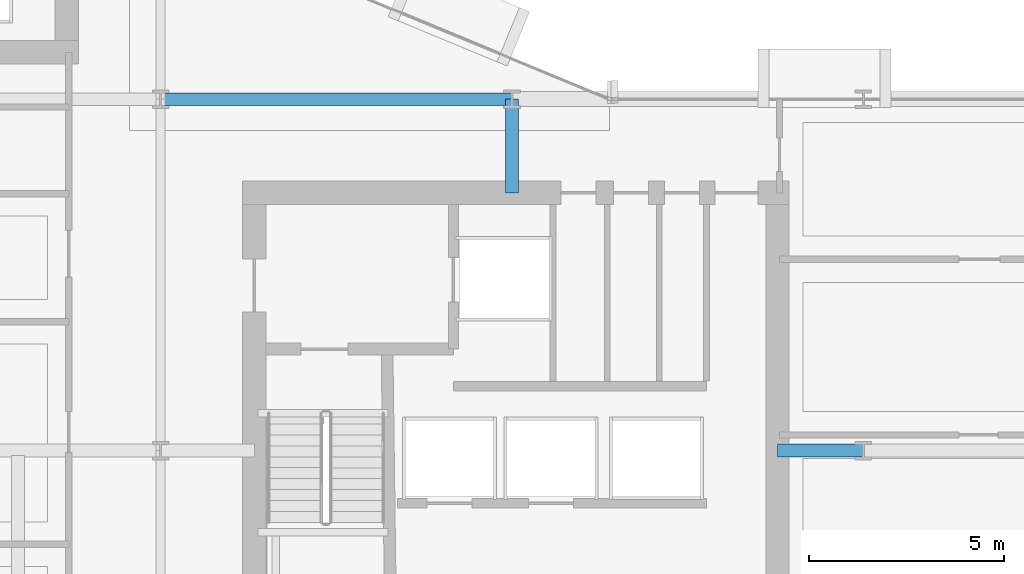
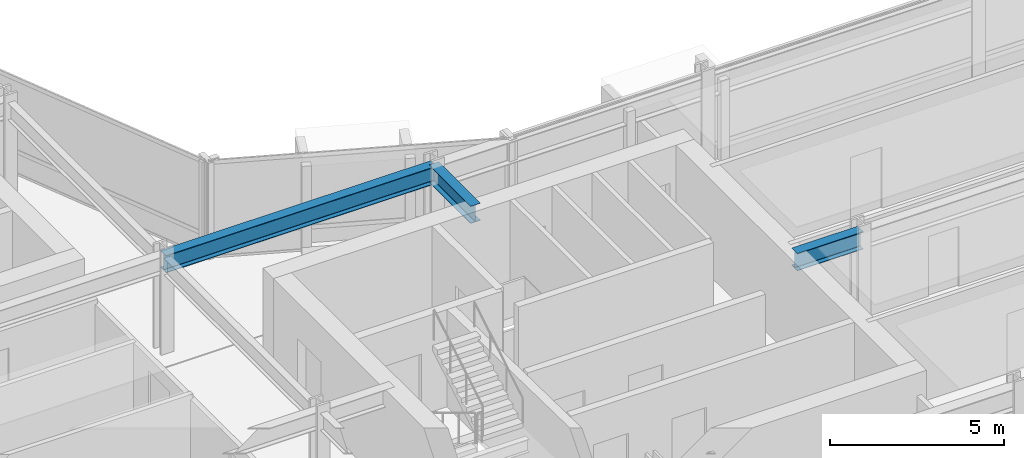
# One storey, part 14 of 34: 3 beams.
"""IFC4 building model written with IfcOpenShell, lengths in metres."""

from ifc_helpers import new_model, si_unit, direction, frame, origin, origin_2d, place, context, subcontext, project, spatial, i_section, extrude, material, material_profile, profile_set, type_object, element, save


model = new_model("IFC4")

# Units and contexts
model_context = context("Model", 3, precision=1e-05, world=origin(), true_north=direction((0.0, 1.0)))
body_context = subcontext(model_context, "Body", "Model", "MODEL_VIEW")
ifc_project = project(units=[si_unit("LENGTHUNIT", "METRE"), si_unit("AREAUNIT", "SQUARE_METRE"), si_unit("VOLUMEUNIT", "CUBIC_METRE"), si_unit("PLANEANGLEUNIT", "RADIAN"), si_unit("MASSUNIT", "GRAM", prefix="KILO")], contexts=[model_context])

# Site, building, storey
site_placement = place(None, origin())
site = spatial("IfcSite", under=ifc_project, at=site_placement, CompositionType="ELEMENT")
building_placement = place(site_placement, origin())
building = spatial("IfcBuilding", under=site, at=building_placement, Name="Solvaryn Broadcast Tower", CompositionType="ELEMENT")
storey_placement = place(building_placement, frame((0.0, 0.0, 89.10009765625)))
storey = spatial("IfcBuildingStorey", under=building, at=storey_placement, Name="L21", CompositionType="ELEMENT", Elevation=89.10009765625)

# Beams
ifc_material = material(Name="Steel ASTM A992 Grade 50", Category="steel")
ifc_material_profile = material_profile(ifc_material, i_section(OverallWidth=0.323974609375, OverallDepth=0.611083984375, WebThickness=0.0126953125, FlangeThickness=0.01904296875, FilletRadius=0.014892578125, at=origin_2d()))
ifc_profile_set = profile_set([ifc_material_profile], Name="Steel ASTM A992 Grade 50")
beam_type = type_object("IfcBeamType", Name="BM-B1-W24X104", PredefinedType="BEAM", material=ifc_profile_set)
beam_1_placement = place(storey_placement, frame((27.0, 27.0, 3.114501953125), z_axis=(1.0, 0.0, 0.0), x_axis=(0.0, 1.0, 0.0)))
element("IfcBeam", 1, at=beam_1_placement, inside=storey, type_object=beam_type, Name="L21 Primary Beam X (27-36 @ Y=27)", PredefinedType="BEAM", context=body_context, shape_type="SweptSolid", body=[
    extrude(i_section(OverallWidth=0.323974609375, OverallDepth=0.611083984375, WebThickness=0.0126953125, FlangeThickness=0.01904296875, FilletRadius=0.014892578125, at=origin_2d()), origin(), (0.0, 0.0, 1.0), 9.0),
])
beam_2_placement = place(storey_placement, frame((36.0, 24.60009765625, 3.114501953125), z_axis=(0.0, 1.0, 0.0), x_axis=(-1.0, 0.0, 0.0)))
element("IfcBeam", 2, at=beam_2_placement, inside=storey, type_object=beam_type, Name="L21 Core Tie Beam CTE2", PredefinedType="BEAM", context=body_context, shape_type="SweptSolid", body=[
    extrude(i_section(OverallWidth=0.323974609375, OverallDepth=0.611083984375, WebThickness=0.0126953125, FlangeThickness=0.01904296875, FilletRadius=0.014892578125, at=origin_2d()), origin(), (0.0, 0.0, 1.0), 2.39990234375),
])
beam_3_placement = place(storey_placement, frame((42.800048828125, 18.0, 3.114501953125), z_axis=(1.0, 0.0, 0.0), x_axis=(0.0, 1.0, 0.0)))
element("IfcBeam", 3, at=beam_3_placement, inside=storey, type_object=beam_type, Name="L21 Core Tie Beam CTE3", PredefinedType="BEAM", context=body_context, shape_type="SweptSolid", body=[
    extrude(i_section(OverallWidth=0.323974609375, OverallDepth=0.611083984375, WebThickness=0.0126953125, FlangeThickness=0.01904296875, FilletRadius=0.014892578125, at=origin_2d()), origin(), (0.0, 0.0, 1.0), 2.199951171875),
])

save(model, "model.ifc")
